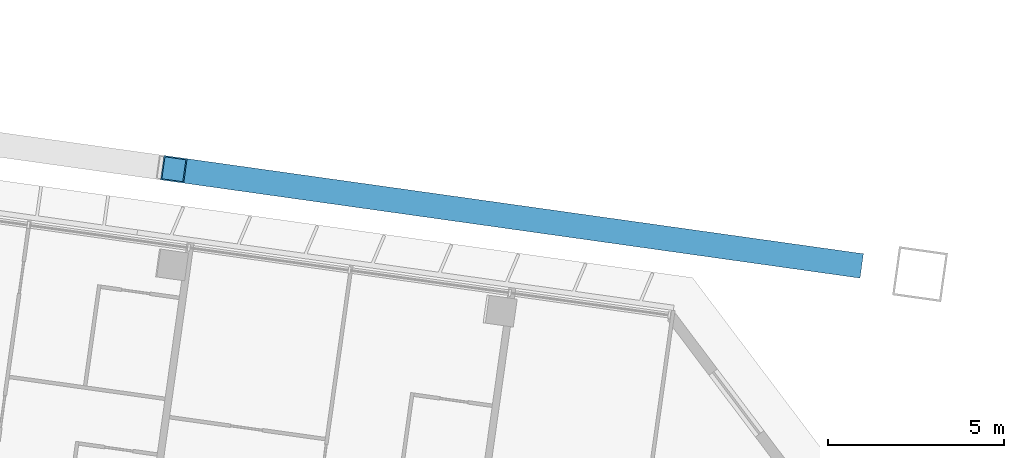
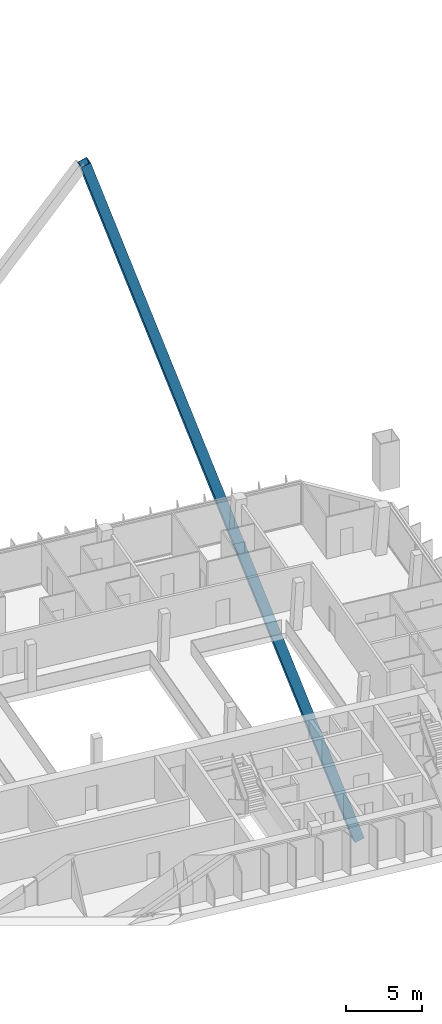
# One storey, part 12 of 38: 1 member.
"""IFC4 building model written with IfcOpenShell, lengths in metres."""

import ifcopenshell
import ifcopenshell.guid

model = None  # the IFC model being written
_history = None  # IfcOwnerHistory: only IFC2X3 demands one
_inside = {}  # id of a spatial element -> (the spatial element, [elements in it])
_under = {}  # id of a project, library or spatial element -> (it, [spatial elements below it])
_declared = {}  # id of a project -> (the project, [libraries it declares])
_typed = {}  # id of a type object -> (the type object, [elements of that type])
_made_of = {}  # id of a material, layer set ... -> (it, [elements and type objects made of it])


def new_model(schema):
    """Start an empty IFC model of exactly this schema.

    Asked for "IFC4X3", IfcOpenShell would pick the latest addendum, in which some entities
    have other attributes; the version numbers below select the first issue.
    IFC2X3 requires an IfcOwnerHistory on every rooted entity: one is made here for all.
    """
    global model, _history
    if schema == "IFC4X3":
        model = ifcopenshell.file(schema_version=(4, 3, 0, 0))
    else:
        model = ifcopenshell.file(schema=schema)
    _inside.clear()
    _under.clear()
    _declared.clear()
    _typed.clear()
    _made_of.clear()
    _history = None
    if model.schema == "IFC2X3":
        org = make("IfcOrganization", Name="unknown")
        user = make(
            "IfcPersonAndOrganization",
            ThePerson=make("IfcPerson", FamilyName="unknown"),
            TheOrganization=org,
        )
        app = make(
            "IfcApplication",
            ApplicationDeveloper=org,
            Version="unknown",
            ApplicationFullName="unknown",
            ApplicationIdentifier="unknown",
        )
        _history = make(
            "IfcOwnerHistory",
            OwningUser=user,
            OwningApplication=app,
            ChangeAction="ADDED",
            CreationDate=0,
        )
    return model


def make(cls, **values):
    """One entity of the class cls with the attributes given. An attribute that is None is left unset."""
    return model.create_entity(
        cls, **{name: value for name, value in values.items() if value is not None}
    )


def rooted(cls, **values):
    """An entity with a GlobalId (a new one), such as an element, a storey or a relation."""
    return make(cls, GlobalId=ifcopenshell.guid.new(), OwnerHistory=_history, **values)


def si_unit(unit_type, name, prefix=None):
    """IfcSIUnit, for example si_unit("LENGTHUNIT", "METRE", prefix="MILLI")."""
    return make("IfcSIUnit", UnitType=unit_type, Prefix=prefix, Name=name)


def assignment(units):
    """IfcUnitAssignment: the units of a project."""
    return None if units is None else make("IfcUnitAssignment", Units=units)


def point(xyz):
    """IfcCartesianPoint."""
    return None if xyz is None else make("IfcCartesianPoint", Coordinates=xyz)


def direction(xyz):
    """IfcDirection."""
    return None if xyz is None else make("IfcDirection", DirectionRatios=xyz)


def frame(location, z_axis=None, x_axis=None):
    """IfcAxis2Placement3D, a coordinate frame: its origin and axes. An axis left out is left unset."""
    return make(
        "IfcAxis2Placement3D",
        Location=point(location),
        Axis=direction(z_axis),
        RefDirection=direction(x_axis),
    )


def frame_2d(location, x_axis=None):
    """IfcAxis2Placement2D, a coordinate frame in the plane: its origin and x axis."""
    return make(
        "IfcAxis2Placement2D", Location=point(location), RefDirection=direction(x_axis)
    )


def origin():
    """The frame at (0, 0, 0) with its axes left unset."""
    return frame((0.0, 0.0, 0.0))


def origin_2d():
    """The frame at (0, 0) in the plane with its x axis left unset."""
    return frame_2d((0.0, 0.0))


def place(relative_to, where):
    """IfcLocalPlacement: puts the frame where relative to a parent placement (None: the world)."""
    return make(
        "IfcLocalPlacement", PlacementRelTo=relative_to, RelativePlacement=where
    )


def context(
    kind, dimensions, precision=None, world=None, true_north=None, identifier=None
):
    """IfcGeometricRepresentationContext, for example the 3D "Model" context."""
    return make(
        "IfcGeometricRepresentationContext",
        ContextIdentifier=identifier,
        ContextType=kind,
        CoordinateSpaceDimension=dimensions,
        Precision=precision,
        WorldCoordinateSystem=world,
        TrueNorth=true_north,
    )


def subcontext(parent, identifier, kind, view, scale=None):
    """IfcGeometricRepresentationSubContext, for example "Body" below "Model"."""
    return make(
        "IfcGeometricRepresentationSubContext",
        ContextIdentifier=identifier,
        ContextType=kind,
        ParentContext=parent,
        TargetScale=scale,
        TargetView=view,
    )


def project(units=None, contexts=None):
    """IfcProject with its units and contexts."""
    return rooted(
        "IfcProject",
        Name="project",
        RepresentationContexts=contexts,
        UnitsInContext=assignment(units),
    )


def spatial(cls, under=None, at=None, **own):
    """A site, building, storey or space (cls), placed at a placement, below another one or the project."""
    s = rooted(cls, ObjectPlacement=at, **own)
    if under is not None:
        _under.setdefault(under.id(), (under, []))[1].append(s)
    return s


def profile(cls, at=None, kind="AREA", **sizes):
    """A parametric profile (cls). Its sizes go by their IFC names, for example OverallWidth=200.0."""
    return make(cls, ProfileType=kind, Position=at, **sizes)


def hollow_rectangle(**sizes):
    """IfcRectangleHollowProfileDef."""
    return profile("IfcRectangleHollowProfileDef", **sizes)


def extrude(swept, where, along, depth):
    """IfcExtrudedAreaSolid: the profile swept, set in the frame where, extruded along a direction by depth."""
    return make(
        "IfcExtrudedAreaSolid",
        SweptArea=swept,
        Position=where,
        ExtrudedDirection=direction(along),
        Depth=depth,
    )


def shape(context_of_items, identifier, shape_type, items):
    """IfcShapeRepresentation: the items that make up one representation, for example the "Body"."""
    return make(
        "IfcShapeRepresentation",
        ContextOfItems=context_of_items,
        RepresentationIdentifier=identifier,
        RepresentationType=shape_type,
        Items=items,
    )


def material(Name=None, Category=None):
    """IfcMaterial."""
    return make("IfcMaterial", Name=Name, Category=Category)


def material_profile(
    of_material, cross_section, Name=None, Category=None, Priority=None
):
    """IfcMaterialProfile: a cross section and its material."""
    return make(
        "IfcMaterialProfile",
        Name=Name,
        Material=of_material,
        Profile=cross_section,
        Priority=Priority,
        Category=Category,
    )


def profile_set(profiles, Name=None, composite=None):
    """IfcMaterialProfileSet."""
    return make(
        "IfcMaterialProfileSet",
        Name=Name,
        MaterialProfiles=profiles,
        CompositeProfile=composite,
    )


def made_of(thing, what):
    """Note that an element or type object is made of a material, layer set ...; save() writes the relation."""
    if what is not None:
        _made_of.setdefault(what.id(), (what, []))[1].append(thing)
    return thing


def type_object(cls, material=None, **own):
    """A type object (cls), such as IfcWallType, which elements share."""
    return made_of(rooted(cls, **own), material)


def element(
    cls,
    number,
    at=None,
    inside=None,
    cuts=None,
    type_object=None,
    material=None,
    context=None,
    identifier="Body",
    shape_type=None,
    held_by="IfcProductDefinitionShape",
    body=None,
    shapes=None,
    **own,
):
    """One element of the class cls, such as IfcWall. Its Tag is "e" and its number.

    at: its placement. inside: the storey or other place that contains it. cuts: it is an
    opening in that element (IfcRelVoidsElement). A single representation is given by context,
    identifier, shape_type and body (its items); several are given by shapes. held_by: the class
    of the entity that holds the representations. save() writes the other relations.
    """
    e = rooted(cls, Tag="e%d" % number, ObjectPlacement=at, **own)
    if body is not None:
        shapes = [shape(context, identifier, shape_type, body)]
    if shapes is not None:
        e.Representation = make(held_by, Representations=shapes)
    if inside is not None:
        _inside.setdefault(inside.id(), (inside, []))[1].append(e)
    if cuts is not None:
        rooted(
            "IfcRelVoidsElement", RelatingBuildingElement=cuts, RelatedOpeningElement=e
        )
    if type_object is not None:
        _typed.setdefault(type_object.id(), (type_object, []))[1].append(e)
    return made_of(e, material)


def aggregate(whole, parts):
    """IfcRelAggregates: a whole, such as a stair, and the parts it consists of."""
    return rooted("IfcRelAggregates", RelatingObject=whole, RelatedObjects=parts)


def save(model, path):
    """Write the relations noted so far, then the file.

    IfcRelAggregates (storeys below a building ...), IfcRelContainedInSpatialStructure (elements
    in a storey), IfcRelDefinesByType, IfcRelAssociatesMaterial and IfcRelDeclares: one each for
    every whole, place, type object, material and project.
    """
    for whole, parts in _under.values():
        aggregate(whole, parts)
    for where, things in _inside.values():
        rooted(
            "IfcRelContainedInSpatialStructure",
            RelatedElements=things,
            RelatingStructure=where,
        )
    for kind, things in _typed.values():
        rooted("IfcRelDefinesByType", RelatedObjects=things, RelatingType=kind)
    for what, things in _made_of.values():
        rooted("IfcRelAssociatesMaterial", RelatedObjects=things, RelatingMaterial=what)
    for by, libraries in _declared.values():
        rooted("IfcRelDeclares", RelatingContext=by, RelatedDefinitions=libraries)
    model.write(path)


model = new_model("IFC4")

# Units and contexts
model_context = context("Model", 3, precision=1e-05, world=origin(), true_north=direction((0.0, 1.0)))
body_context = subcontext(model_context, "Body", "Model", "MODEL_VIEW")
ifc_project = project(units=[si_unit("LENGTHUNIT", "METRE"), si_unit("AREAUNIT", "SQUARE_METRE"), si_unit("VOLUMEUNIT", "CUBIC_METRE"), si_unit("PLANEANGLEUNIT", "RADIAN"), si_unit("MASSUNIT", "GRAM", prefix="KILO")], contexts=[model_context])

# Site, building, storey
site_placement = place(None, origin())
site = spatial("IfcSite", under=ifc_project, at=site_placement, CompositionType="ELEMENT")
building_placement = place(site_placement, origin())
building = spatial("IfcBuilding", under=site, at=building_placement, Name="Mirante Cascada Hotel Towers", CompositionType="ELEMENT")
storey_placement = place(building_placement, frame((0.0, 0.0, 184.0)))
storey = spatial("IfcBuildingStorey", under=building, at=storey_placement, Name="L43", CompositionType="ELEMENT", Elevation=184.0)

# Member
ifc_material = material(Name="Steel ASTM A572 Gr 50", Category="steel")
ifc_material_profile = material_profile(ifc_material, hollow_rectangle(XDim=0.7, YDim=0.7, WallThickness=0.035, at=origin_2d()), Name="Box brace 700x700x35 ASTM A572 Gr 50")
ifc_profile_set = profile_set([ifc_material_profile], Name="Steel ASTM A572 Gr 50")
member_type = type_object("IfcMemberType", Name="Box brace 700x700x35 ASTM A572 Gr 50", PredefinedType="BRACE", material=ifc_profile_set)
member_placement = place(storey_placement, frame((-25.5738, 18.5843, -27.8934), z_axis=(-0.3080803, 0.0432978, 0.9503746), x_axis=(-0.1391729, -0.9902681, 0.0)))
element("IfcMember", 1, at=member_placement, inside=storey, type_object=member_type, Name="brace T1 L43 1", PredefinedType="BRACE", context=body_context, shape_type="SweptSolid", body=[
    extrude(hollow_rectangle(XDim=0.7, YDim=0.7, WallThickness=0.035, at=origin_2d()), origin(), (0.0, 0.0, 1.0), 62.4328),
])

save(model, "model.ifc")
